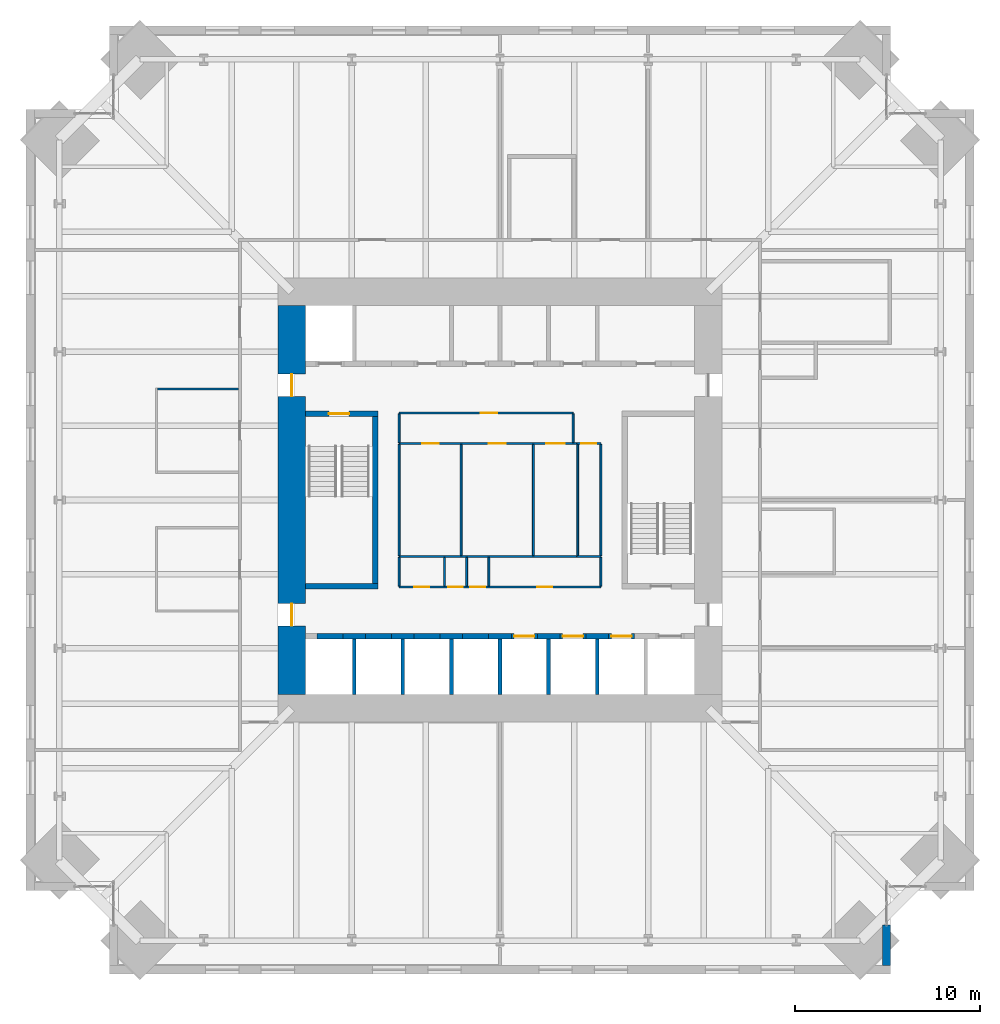
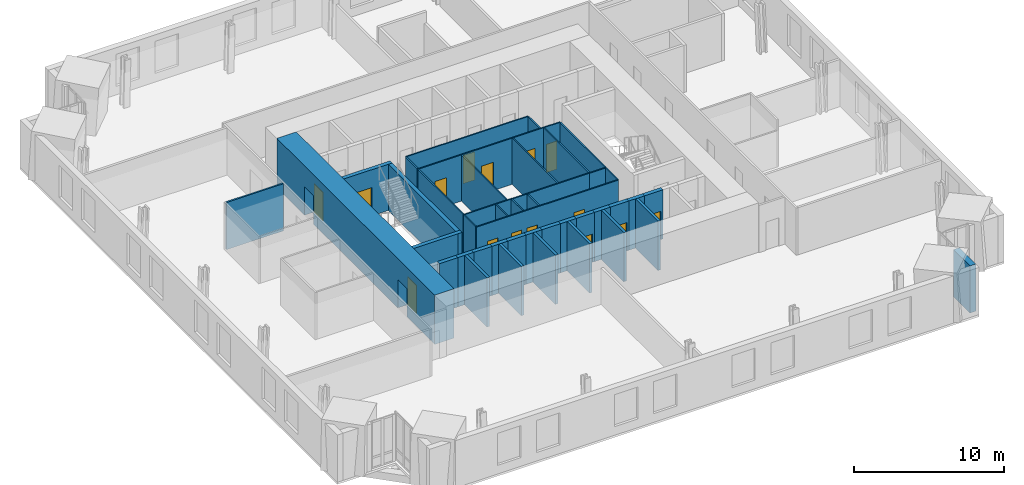
# One storey, part 14 of 18: 43 walls, 15 doors, 15 openings.
"""IFC4 building model written with IfcOpenShell, lengths in metres."""

from ifc_helpers import new_model, si_unit, direction, frame, frame_2d, origin, place, context, subcontext, project, spatial, rectangle, extrude, material, layer, layer_set, type_object, element, fill, save


model = new_model("IFC4")

# Units and contexts
model_context = context("Model", 3, precision=1e-05, world=origin(), true_north=direction((0.0, 1.0)))
body_context = subcontext(model_context, "Body", "Model", "MODEL_VIEW")
ifc_project = project(units=[si_unit("LENGTHUNIT", "METRE"), si_unit("AREAUNIT", "SQUARE_METRE"), si_unit("VOLUMEUNIT", "CUBIC_METRE"), si_unit("PLANEANGLEUNIT", "RADIAN"), si_unit("MASSUNIT", "GRAM", prefix="KILO")], contexts=[model_context])

# Site, building, storey
site_placement = place(None, origin())
site = spatial("IfcSite", under=ifc_project, at=site_placement, CompositionType="ELEMENT")
building_placement = place(site_placement, origin())
building = spatial("IfcBuilding", under=site, at=building_placement, Name="Peilmerk Tower", CompositionType="ELEMENT")
storey_placement = place(building_placement, frame((0.0, 0.0, 175.800048828125)))
storey = spatial("IfcBuildingStorey", under=building, at=storey_placement, Name="L37", CompositionType="ELEMENT", Elevation=175.800048828125)

# Walls
ifc_material_1 = material(Name="Precast concrete C45/55, board-marked finish", Category="concrete")
ifc_layer_1 = layer(ifc_material_1, 0.449951171875)
ifc_layer_set_1 = layer_set([ifc_layer_1], Name="Precast concrete C45/55, board-marked finish")
wall_type_1 = type_object("IfcWallType", Name="EW1 450 precast concrete facade wall, board-marked", PredefinedType="SOLIDWALL", material=ifc_layer_set_1)
wall_1_placement = place(storey_placement, frame((20.875, -22.95361328125, 0.0), z_axis=(0.0, 0.0, 1.0), x_axis=(0.0, -1.0, 0.0)))
element("IfcWall", 1, at=wall_1_placement, inside=storey, type_object=wall_type_1, Name="Facade wall SEA L37", PredefinedType="SOLIDWALL", context=body_context, shape_type="SweptSolid", body=[
    extrude(rectangle(XDim=2.1962890625, YDim=0.449951171875, at=frame_2d((1.09814453125, 0.0))), origin(), (0.0, 0.0, 1.0), 3.829833984375),
])
ifc_material_2 = material(Name="Concrete C35/45", Category="concrete")
ifc_layer_2 = layer(ifc_material_2, 0.300048828125)
ifc_layer_set_2 = layer_set([ifc_layer_2], Name="Concrete C35/45")
wall_type_2 = type_object("IfcWallType", Name="IW3 300 concrete stair enclosure wall, EI 120", PredefinedType="SOLIDWALL", material=ifc_layer_set_2)
wall_2_placement = place(storey_placement, frame((-6.75, -4.800048828125, 0.0), z_axis=(0.0, 0.0, 1.0), x_axis=(0.0, 1.0, 0.0)))
element("IfcWall", 2, at=wall_2_placement, inside=storey, type_object=wall_type_2, Name="Stair 1 enclosure L37", PredefinedType="SOLIDWALL", context=body_context, shape_type="SweptSolid", body=[
    extrude(rectangle(XDim=9.60009765625, YDim=0.300048828125, at=frame_2d((4.800048828125, 0.0))), origin(), (0.0, 0.0, 1.0), 3.75),
])

# Wall, opening, door
wall_3_placement = place(storey_placement, frame((-10.5, 4.64990234375, 0.0), z_axis=(0.0, 0.0, 1.0), x_axis=(1.0, 0.0, 0.0)))
wall_3 = element("IfcWall", 3, at=wall_3_placement, inside=storey, type_object=wall_type_2, Name="Stair 1 enclosure L37", PredefinedType="SOLIDWALL", context=body_context, shape_type="SweptSolid", body=[
    extrude(rectangle(XDim=3.89990234375, YDim=0.300048828125, at=frame_2d((1.949951171875, 0.0))), origin(), (0.0, 0.0, 1.0), 3.75),
])
opening_1_placement = place(wall_3_placement, frame((1.25, 0.0, 0.0)))
opening_1 = element("IfcOpeningElement", 4, at=opening_1_placement, cuts=wall_3, Name="Opening D4", PredefinedType="OPENING", context=body_context, shape_type="SweptSolid", body=[
    extrude(rectangle(XDim=1.10009765625, YDim=2.300048828125, at=frame_2d((0.550048828125, 1.14990234375))), frame((0.0, 0.159912109375, 0.0), z_axis=(0.0, -1.0, 0.0), x_axis=(1.0, 0.0, 0.0)), (0.0, 0.0, 1.0), 0.320068359375),
])
ifc_material_3 = material(Name="Steel door in steel frame", Category="steel")
door_type_1 = type_object("IfcDoorType", Name="D4 1100x2300 stair door, EI2 60", OperationType="SINGLE_SWING_RIGHT", PredefinedType="DOOR", material=ifc_material_3)
door_1_placement = place(opening_1_placement, frame((1.10009765625, 0.0, 0.0), z_axis=(0.0, 0.0, 1.0), x_axis=(-1.0, 0.0, 0.0)))
door_1 = element("IfcDoor", 5, at=door_1_placement, inside=storey, type_object=door_type_1, Name="Stair 1 door L37", OperationType="SINGLE_SWING_RIGHT", OverallHeight=2.300048828125, OverallWidth=1.10009765625, PredefinedType="DOOR", context=body_context, shape_type="SweptSolid", body=[
    extrude(rectangle(XDim=1.10009765625, YDim=2.300048828125, at=frame_2d((0.550048828125, 1.14990234375))), frame((0.0, 0.02490234375, 0.0), z_axis=(0.0, -1.0, 0.0), x_axis=(1.0, 0.0, 0.0)), (0.0, 0.0, 1.0), 0.050048828125),
])
fill(opening_1, door_1)

# Wall
wall_4_placement = place(storey_placement, frame((-6.60009765625, -4.64990234375, 0.0), z_axis=(0.0, 0.0, 1.0), x_axis=(-1.0, 0.0, 0.0)))
element("IfcWall", 6, at=wall_4_placement, inside=storey, type_object=wall_type_2, Name="Stair 1 enclosure L37", PredefinedType="SOLIDWALL", context=body_context, shape_type="SweptSolid", body=[
    extrude(rectangle(XDim=3.89990234375, YDim=0.300048828125, at=frame_2d((1.949951171875, 0.0))), origin(), (0.0, 0.0, 1.0), 3.75),
])

# Wall, openings, doors
ifc_material_4 = material(Name="Plasterboard on steel studs", Category="steel")
ifc_layer_3 = layer(ifc_material_4, 0.10009765625)
ifc_layer_set_3 = layer_set([ifc_layer_3], Name="Plasterboard on steel studs")
wall_type_3 = type_object("IfcWallType", Name="IW4 100 WC partition", PredefinedType="PARTITIONING", material=ifc_layer_set_3)
wall_5_placement = place(storey_placement, frame((-5.449951171875, 3.050048828125, 0.0), z_axis=(0.0, 0.0, 1.0), x_axis=(1.0, 0.0, 0.0)))
wall_5 = element("IfcWall", 7, at=wall_5_placement, inside=storey, type_object=wall_type_3, Name="WC wall L37", PredefinedType="PARTITIONING", context=body_context, shape_type="SweptSolid", body=[
    extrude(rectangle(XDim=9.599853515625, YDim=0.10009765625, at=frame_2d((4.7998046875, 0.0))), origin(), (0.0, 0.0, 1.0), 3.75),
])
opening_2_placement = place(wall_5_placement, frame((1.25, 0.0, 0.0)))
opening_2 = element("IfcOpeningElement", 8, at=opening_2_placement, cuts=wall_5, Name="Opening D5", PredefinedType="OPENING", context=body_context, shape_type="SweptSolid", body=[
    extrude(rectangle(XDim=0.89990234375, YDim=2.300048828125, at=frame_2d((0.449951171875, 1.14990234375))), frame((0.0, 0.06005859375, 0.0), z_axis=(0.0, -1.0, 0.0), x_axis=(1.0, 0.0, 0.0)), (0.0, 0.0, 1.0), 0.1201171875),
])
opening_3_placement = place(wall_5_placement, frame((4.85009765625, 0.0, 0.0)))
opening_3 = element("IfcOpeningElement", 9, at=opening_3_placement, cuts=wall_5, Name="Opening D5", PredefinedType="OPENING", context=body_context, shape_type="SweptSolid", body=[
    extrude(rectangle(XDim=0.89990234375, YDim=2.300048828125, at=frame_2d((0.449951171875, 1.14990234375))), frame((0.0, 0.06005859375, 0.0), z_axis=(0.0, -1.0, 0.0), x_axis=(1.0, 0.0, 0.0)), (0.0, 0.0, 1.0), 0.1201171875),
])
opening_4_placement = place(wall_5_placement, frame((7.949951171875, 0.0, 0.0)))
opening_4 = element("IfcOpeningElement", 10, at=opening_4_placement, cuts=wall_5, Name="Opening D6", PredefinedType="OPENING", context=body_context, shape_type="SweptSolid", body=[
    extrude(rectangle(XDim=1.0, YDim=2.300048828125, at=frame_2d((0.5, 1.14990234375))), frame((0.0, 0.06005859375, 0.0), z_axis=(0.0, -1.0, 0.0), x_axis=(1.0, 0.0, 0.0)), (0.0, 0.0, 1.0), 0.1201171875),
])
ifc_material_5 = material(Name="Timber door in steel frame", Category="steel")
door_type_2 = type_object("IfcDoorType", Name="D5 900x2300 WC door", OperationType="SINGLE_SWING_LEFT", PredefinedType="DOOR", material=ifc_material_5)
door_2_placement = place(opening_2_placement, frame((0.89990234375, 0.0, 0.0), z_axis=(0.0, 0.0, 1.0), x_axis=(-1.0, 0.0, 0.0)))
door_2 = element("IfcDoor", 11, at=door_2_placement, inside=storey, type_object=door_type_2, Name="Female toilets door L37", OperationType="SINGLE_SWING_LEFT", OverallHeight=2.300048828125, OverallWidth=0.89990234375, PredefinedType="DOOR", context=body_context, shape_type="SweptSolid", body=[
    extrude(rectangle(XDim=0.89990234375, YDim=2.300048828125, at=frame_2d((0.449951171875, 1.14990234375))), frame((0.0, 0.02490234375, 0.0), z_axis=(0.0, -1.0, 0.0), x_axis=(1.0, 0.0, 0.0)), (0.0, 0.0, 1.0), 0.050048828125),
])
fill(opening_2, door_2)
door_3_placement = place(opening_3_placement, frame((0.89990234375, 0.0, 0.0), z_axis=(0.0, 0.0, 1.0), x_axis=(-1.0, 0.0, 0.0)))
door_3 = element("IfcDoor", 12, at=door_3_placement, inside=storey, type_object=door_type_2, Name="Male toilets door L37", OperationType="SINGLE_SWING_LEFT", OverallHeight=2.300048828125, OverallWidth=0.89990234375, PredefinedType="DOOR", context=body_context, shape_type="SweptSolid", body=[
    extrude(rectangle(XDim=0.89990234375, YDim=2.300048828125, at=frame_2d((0.449951171875, 1.14990234375))), frame((0.0, 0.02490234375, 0.0), z_axis=(0.0, -1.0, 0.0), x_axis=(1.0, 0.0, 0.0)), (0.0, 0.0, 1.0), 0.050048828125),
])
fill(opening_3, door_3)
door_type_3 = type_object("IfcDoorType", Name="D6 1000x2300 accessible WC door", OperationType="SLIDING_TO_LEFT", PredefinedType="DOOR", material=ifc_material_5)
door_4_placement = place(opening_4_placement, frame((1.0, 0.0, 0.0), z_axis=(0.0, 0.0, 1.0), x_axis=(-1.0, 0.0, 0.0)))
door_4 = element("IfcDoor", 13, at=door_4_placement, inside=storey, type_object=door_type_3, Name="Accessible WC door L37", OperationType="SLIDING_TO_LEFT", OverallHeight=2.300048828125, OverallWidth=1.0, PredefinedType="DOOR", context=body_context, shape_type="SweptSolid", body=[
    extrude(rectangle(XDim=1.0, YDim=2.300048828125, at=frame_2d((0.5, 1.14990234375))), frame((0.0, 0.02490234375, 0.0), z_axis=(0.0, -1.0, 0.0), x_axis=(1.0, 0.0, 0.0)), (0.0, 0.0, 1.0), 0.050048828125),
])
fill(opening_4, door_4)

# Walls
wall_6_placement = place(storey_placement, frame((4.14990234375, -3.050048828125, 0.0), z_axis=(0.0, 0.0, 1.0), x_axis=(-1.0, 0.0, 0.0)))
element("IfcWall", 14, at=wall_6_placement, inside=storey, type_object=wall_type_3, Name="WC wall L37", PredefinedType="PARTITIONING", context=body_context, shape_type="SweptSolid", body=[
    extrude(rectangle(XDim=9.599853515625, YDim=0.10009765625, at=frame_2d((4.7998046875, 0.0))), origin(), (0.0, 0.0, 1.0), 3.75),
])
for number, where, z_axis, x_axis, name in (
    (15, (-5.449951171875, -3.0, 0.0), (0.0, 0.0, 1.0), (0.0, 1.0, 0.0), "WC wall L37"),
    (16, (-2.10009765625, -3.0, 0.0), (0.0, 0.0, 1.0), (0.0, 1.0, 0.0), "WC wall L37"),
    (17, (1.800048828125, -3.0, 0.0), (0.0, 0.0, 1.0), (0.0, 1.0, 0.0), "WC wall L37"),
):
    element("IfcWall", number, at=place(storey_placement, frame(where, z_axis=z_axis, x_axis=x_axis)), inside=storey, type_object=wall_type_3, Name=name, PredefinedType="PARTITIONING", context=body_context, shape_type="SweptSolid", body=[
        extrude(rectangle(XDim=6.0, YDim=0.10009765625, at=frame_2d((3.0, 0.0))), origin(), (0.0, 0.0, 1.0), 3.75),
    ])

# Wall, opening, door
ifc_material_6 = material(Name="Calcium silicate board on steel studs", Category="steel")
ifc_layer_4 = layer(ifc_material_6, 0.10009765625)
ifc_layer_set_4 = layer_set([ifc_layer_4], Name="Calcium silicate board on steel studs")
wall_type_4 = type_object("IfcWallType", Name="IW5 100 riser enclosure wall, EI 60", PredefinedType="PARTITIONING", material=ifc_layer_set_4)
wall_7_placement = place(storey_placement, frame((4.14990234375, 3.050048828125, 0.0), z_axis=(0.0, 0.0, 1.0), x_axis=(1.0, 0.0, 0.0)))
wall_7 = element("IfcWall", 18, at=wall_7_placement, inside=storey, type_object=wall_type_4, Name="Riser wall L37", PredefinedType="PARTITIONING", context=body_context, shape_type="SweptSolid", body=[
    extrude(rectangle(XDim=1.300048828125, YDim=0.10009765625, at=frame_2d((0.64990234375, 0.0))), origin(), (0.0, 0.0, 1.0), 3.75),
])
opening_5_placement = place(wall_7_placement, frame((0.25, 0.0, 0.0)))
opening_5 = element("IfcOpeningElement", 19, at=opening_5_placement, cuts=wall_7, Name="Opening D7", PredefinedType="OPENING", context=body_context, shape_type="SweptSolid", body=[
    extrude(rectangle(XDim=0.800048828125, YDim=2.300048828125, at=frame_2d((0.39990234375, 1.14990234375))), frame((0.0, 0.06005859375, 0.0), z_axis=(0.0, -1.0, 0.0), x_axis=(1.0, 0.0, 0.0)), (0.0, 0.0, 1.0), 0.1201171875),
])
door_type_4 = type_object("IfcDoorType", Name="D7 800x2300 riser access door, EI2 60", OperationType="SINGLE_SWING_RIGHT", PredefinedType="DOOR", material=ifc_material_3)
door_5_placement = place(opening_5_placement, frame((0.800048828125, 0.0, 0.0), z_axis=(0.0, 0.0, 1.0), x_axis=(-1.0, 0.0, 0.0)))
door_5 = element("IfcDoor", 20, at=door_5_placement, inside=storey, type_object=door_type_4, Name="Plumbing riser door L37", OperationType="SINGLE_SWING_RIGHT", OverallHeight=2.300048828125, OverallWidth=0.800048828125, PredefinedType="DOOR", context=body_context, shape_type="SweptSolid", body=[
    extrude(rectangle(XDim=0.800048828125, YDim=2.300048828125, at=frame_2d((0.39990234375, 1.14990234375))), frame((0.0, 0.02490234375, 0.0), z_axis=(0.0, -1.0, 0.0), x_axis=(1.0, 0.0, 0.0)), (0.0, 0.0, 1.0), 0.050048828125),
])
fill(opening_5, door_5)

# Walls
wall_8_placement = place(storey_placement, frame((5.449951171875, -3.050048828125, 0.0), z_axis=(0.0, 0.0, 1.0), x_axis=(-1.0, 0.0, 0.0)))
element("IfcWall", 21, at=wall_8_placement, inside=storey, type_object=wall_type_4, Name="Riser wall L37", PredefinedType="PARTITIONING", context=body_context, shape_type="SweptSolid", body=[
    extrude(rectangle(XDim=1.300048828125, YDim=0.10009765625, at=frame_2d((0.64990234375, 0.0))), origin(), (0.0, 0.0, 1.0), 3.75),
])
for number, where, z_axis, x_axis, name in (
    (22, (5.449951171875, 3.0, 0.0), (0.0, 0.0, 1.0), (0.0, -1.0, 0.0), "Riser wall L37"),
    (23, (4.199951171875, -3.0, 0.0), (0.0, 0.0, 1.0), (0.0, 1.0, 0.0), "Riser wall L37"),
):
    element("IfcWall", number, at=place(storey_placement, frame(where, z_axis=z_axis, x_axis=x_axis)), inside=storey, type_object=wall_type_4, Name=name, PredefinedType="PARTITIONING", context=body_context, shape_type="SweptSolid", body=[
        extrude(rectangle(XDim=6.0, YDim=0.10009765625, at=frame_2d((3.0, 0.0))), origin(), (0.0, 0.0, 1.0), 3.75),
    ])

# Wall, openings, doors
wall_9_placement = place(storey_placement, frame((5.449951171875, -4.699951171875, 0.0), z_axis=(0.0, 0.0, 1.0), x_axis=(-1.0, 0.0, 0.0)))
wall_9 = element("IfcWall", 24, at=wall_9_placement, inside=storey, type_object=wall_type_4, Name="Riser wall L37", PredefinedType="PARTITIONING", context=body_context, shape_type="SweptSolid", body=[
    extrude(rectangle(XDim=10.89990234375, YDim=0.10009765625, at=frame_2d((5.449951171875, 0.0))), origin(), (0.0, 0.0, 1.0), 3.75),
])
opening_6_placement = place(wall_9_placement, frame((9.27490234375, 0.0, 0.0)))
opening_6 = element("IfcOpeningElement", 25, at=opening_6_placement, cuts=wall_9, Name="Opening D7", PredefinedType="OPENING", context=body_context, shape_type="SweptSolid", body=[
    extrude(rectangle(XDim=0.800048828125, YDim=2.300048828125, at=frame_2d((0.39990234375, 1.14990234375))), frame((0.0, 0.06005859375, 0.0), z_axis=(0.0, -1.0, 0.0), x_axis=(1.0, 0.0, 0.0)), (0.0, 0.0, 1.0), 0.1201171875),
])
opening_7_placement = place(wall_9_placement, frame((7.449951171875, 0.0, 0.0)))
opening_7 = element("IfcOpeningElement", 26, at=opening_7_placement, cuts=wall_9, Name="Opening D7", PredefinedType="OPENING", context=body_context, shape_type="SweptSolid", body=[
    extrude(rectangle(XDim=0.800048828125, YDim=2.300048828125, at=frame_2d((0.39990234375, 1.14990234375))), frame((0.0, 0.06005859375, 0.0), z_axis=(0.0, -1.0, 0.0), x_axis=(1.0, 0.0, 0.0)), (0.0, 0.0, 1.0), 0.1201171875),
])
opening_8_placement = place(wall_9_placement, frame((6.25, 0.0, 0.0)))
opening_8 = element("IfcOpeningElement", 27, at=opening_8_placement, cuts=wall_9, Name="Opening D7", PredefinedType="OPENING", context=body_context, shape_type="SweptSolid", body=[
    extrude(rectangle(XDim=0.800048828125, YDim=2.300048828125, at=frame_2d((0.39990234375, 1.14990234375))), frame((0.0, 0.06005859375, 0.0), z_axis=(0.0, -1.0, 0.0), x_axis=(1.0, 0.0, 0.0)), (0.0, 0.0, 1.0), 0.1201171875),
])
opening_9_placement = place(wall_9_placement, frame((2.625, 0.0, 0.0)))
opening_9 = element("IfcOpeningElement", 28, at=opening_9_placement, cuts=wall_9, Name="Opening D7", PredefinedType="OPENING", context=body_context, shape_type="SweptSolid", body=[
    extrude(rectangle(XDim=0.800048828125, YDim=2.300048828125, at=frame_2d((0.39990234375, 1.14990234375))), frame((0.0, 0.06005859375, 0.0), z_axis=(0.0, -1.0, 0.0), x_axis=(1.0, 0.0, 0.0)), (0.0, 0.0, 1.0), 0.1201171875),
])
door_6_placement = place(opening_6_placement, frame((0.800048828125, 0.0, 0.0), z_axis=(0.0, 0.0, 1.0), x_axis=(-1.0, 0.0, 0.0)))
door_6 = element("IfcDoor", 29, at=door_6_placement, inside=storey, type_object=door_type_4, Name="Cleaner's cupboard door L37", OperationType="SINGLE_SWING_RIGHT", OverallHeight=2.300048828125, OverallWidth=0.800048828125, PredefinedType="DOOR", context=body_context, shape_type="SweptSolid", body=[
    extrude(rectangle(XDim=0.800048828125, YDim=2.300048828125, at=frame_2d((0.39990234375, 1.14990234375))), frame((0.0, 0.02490234375, 0.0), z_axis=(0.0, -1.0, 0.0), x_axis=(1.0, 0.0, 0.0)), (0.0, 0.0, 1.0), 0.050048828125),
])
fill(opening_6, door_6)
door_7_placement = place(opening_7_placement, frame((0.800048828125, 0.0, 0.0), z_axis=(0.0, 0.0, 1.0), x_axis=(-1.0, 0.0, 0.0)))
door_7 = element("IfcDoor", 30, at=door_7_placement, inside=storey, type_object=door_type_4, Name="Electrical riser door L37", OperationType="SINGLE_SWING_RIGHT", OverallHeight=2.300048828125, OverallWidth=0.800048828125, PredefinedType="DOOR", context=body_context, shape_type="SweptSolid", body=[
    extrude(rectangle(XDim=0.800048828125, YDim=2.300048828125, at=frame_2d((0.39990234375, 1.14990234375))), frame((0.0, 0.02490234375, 0.0), z_axis=(0.0, -1.0, 0.0), x_axis=(1.0, 0.0, 0.0)), (0.0, 0.0, 1.0), 0.050048828125),
])
fill(opening_7, door_7)
door_8_placement = place(opening_8_placement, frame((0.800048828125, 0.0, 0.0), z_axis=(0.0, 0.0, 1.0), x_axis=(-1.0, 0.0, 0.0)))
door_8 = element("IfcDoor", 31, at=door_8_placement, inside=storey, type_object=door_type_4, Name="Data riser door L37", OperationType="SINGLE_SWING_RIGHT", OverallHeight=2.300048828125, OverallWidth=0.800048828125, PredefinedType="DOOR", context=body_context, shape_type="SweptSolid", body=[
    extrude(rectangle(XDim=0.800048828125, YDim=2.300048828125, at=frame_2d((0.39990234375, 1.14990234375))), frame((0.0, 0.02490234375, 0.0), z_axis=(0.0, -1.0, 0.0), x_axis=(1.0, 0.0, 0.0)), (0.0, 0.0, 1.0), 0.050048828125),
])
fill(opening_8, door_8)
door_9_placement = place(opening_9_placement, frame((0.800048828125, 0.0, 0.0), z_axis=(0.0, 0.0, 1.0), x_axis=(-1.0, 0.0, 0.0)))
door_9 = element("IfcDoor", 32, at=door_9_placement, inside=storey, type_object=door_type_4, Name="Comms room door L37", OperationType="SINGLE_SWING_RIGHT", OverallHeight=2.300048828125, OverallWidth=0.800048828125, PredefinedType="DOOR", context=body_context, shape_type="SweptSolid", body=[
    extrude(rectangle(XDim=0.800048828125, YDim=2.300048828125, at=frame_2d((0.39990234375, 1.14990234375))), frame((0.0, 0.02490234375, 0.0), z_axis=(0.0, -1.0, 0.0), x_axis=(1.0, 0.0, 0.0)), (0.0, 0.0, 1.0), 0.050048828125),
])
fill(opening_9, door_9)

# Walls
for number, where, z_axis, x_axis, name in (
    (33, (-5.449951171875, -3.10009765625, 0.0), (0.0, 0.0, 1.0), (0.0, -1.0, 0.0), "Riser wall L37"),
    (34, (5.449951171875, -3.10009765625, 0.0), (0.0, 0.0, 1.0), (0.0, -1.0, 0.0), "Riser wall L37"),
    (35, (-3.0, -3.10009765625, 0.0), (0.0, 0.0, 1.0), (0.0, -1.0, 0.0), "Riser wall L37"),
    (36, (-1.800048828125, -3.10009765625, 0.0), (0.0, 0.0, 1.0), (0.0, -1.0, 0.0), "Riser wall L37"),
    (37, (-0.60009765625, -3.10009765625, 0.0), (0.0, 0.0, 1.0), (0.0, -1.0, 0.0), "Riser wall L37"),
):
    element("IfcWall", number, at=place(storey_placement, frame(where, z_axis=z_axis, x_axis=x_axis)), inside=storey, type_object=wall_type_4, Name=name, PredefinedType="PARTITIONING", context=body_context, shape_type="SweptSolid", body=[
        extrude(rectangle(XDim=1.5498046875, YDim=0.10009765625, at=frame_2d((0.77490234375, 0.0))), origin(), (0.0, 0.0, 1.0), 3.75),
    ])
ifc_material_7 = material(Name="Plasterboard on steel studs, double boarded with mineral wool", Category="steel")
ifc_layer_5 = layer(ifc_material_7, 0.125)
ifc_layer_set_5 = layer_set([ifc_layer_5], Name="Plasterboard on steel studs, double boarded with mineral wool")
wall_type_5 = type_object("IfcWallType", Name="IW7 125 acoustic partition, EI 30", PredefinedType="PARTITIONING", material=ifc_layer_set_5)
wall_10_placement = place(storey_placement, frame((-14.125, 6.0, 0.0), z_axis=(0.0, 0.0, 1.0), x_axis=(-1.0, 0.0, 0.0)))
element("IfcWall", 38, at=wall_10_placement, inside=storey, type_object=wall_type_5, Name="Acoustic partition Focus room L37", PredefinedType="PARTITIONING", context=body_context, shape_type="SweptSolid", body=[
    extrude(rectangle(XDim=4.362548828125, YDim=0.125, at=frame_2d((2.18115234375, 0.0))), origin(), (0.0, 0.0, 1.0), 3.829833984375),
])

# Wall, opening, door
ifc_material_8 = material(Name="Fire-resisting plasterboard on steel studs", Category="steel")
ifc_layer_6 = layer(ifc_material_8, 0.10009765625)
ifc_layer_set_6 = layer_set([ifc_layer_6], Name="Fire-resisting plasterboard on steel studs")
wall_type_6 = type_object("IfcWallType", Name="IW9 100 WC lobby wall, EI 30", PredefinedType="PARTITIONING", material=ifc_layer_set_6)
wall_11_placement = place(storey_placement, frame((-5.449951171875, 4.699951171875, 0.0), z_axis=(0.0, 0.0, 1.0), x_axis=(1.0, 0.0, 0.0)))
wall_11 = element("IfcWall", 39, at=wall_11_placement, inside=storey, type_object=wall_type_6, Name="WC lobby wall L37", PredefinedType="PARTITIONING", context=body_context, shape_type="SweptSolid", body=[
    extrude(rectangle(XDim=9.39990234375, YDim=0.10009765625, at=frame_2d((4.699951171875, 0.0))), origin(), (0.0, 0.0, 1.0), 3.75),
])
opening_10_placement = place(wall_11_placement, frame((4.39990234375, 0.0, 0.0)))
opening_10 = element("IfcOpeningElement", 40, at=opening_10_placement, cuts=wall_11, Name="Opening D11", PredefinedType="OPENING", context=body_context, shape_type="SweptSolid", body=[
    extrude(rectangle(XDim=0.89990234375, YDim=2.300048828125, at=frame_2d((0.449951171875, 1.14990234375))), frame((0.0, 0.06005859375, 0.0), z_axis=(0.0, -1.0, 0.0), x_axis=(1.0, 0.0, 0.0)), (0.0, 0.0, 1.0), 0.1201171875),
])
door_type_5 = type_object("IfcDoorType", Name="D11 900x2300 WC lobby door, EI2 30", OperationType="SINGLE_SWING_LEFT", PredefinedType="DOOR", material=ifc_material_5)
door_10_placement = place(opening_10_placement, frame((0.89990234375, 0.0, 0.0), z_axis=(0.0, 0.0, 1.0), x_axis=(-1.0, 0.0, 0.0)))
door_10 = element("IfcDoor", 41, at=door_10_placement, inside=storey, type_object=door_type_5, Name="WC lobby door L37", OperationType="SINGLE_SWING_LEFT", OverallHeight=2.300048828125, OverallWidth=0.89990234375, PredefinedType="DOOR", context=body_context, shape_type="SweptSolid", body=[
    extrude(rectangle(XDim=0.89990234375, YDim=2.300048828125, at=frame_2d((0.449951171875, 1.14990234375))), frame((0.0, 0.02490234375, 0.0), z_axis=(0.0, -1.0, 0.0), x_axis=(1.0, 0.0, 0.0)), (0.0, 0.0, 1.0), 0.050048828125),
])
fill(opening_10, door_10)

# Walls
for number, where, z_axis, x_axis, name in (
    (42, (-5.449951171875, 3.10009765625, 0.0), (0.0, 0.0, 1.0), (0.0, 1.0, 0.0), "WC lobby wall L37"),
    (43, (3.949951171875, 3.10009765625, 0.0), (0.0, 0.0, 1.0), (0.0, 1.0, 0.0), "WC lobby wall L37"),
):
    element("IfcWall", number, at=place(storey_placement, frame(where, z_axis=z_axis, x_axis=x_axis)), inside=storey, type_object=wall_type_6, Name=name, PredefinedType="PARTITIONING", context=body_context, shape_type="SweptSolid", body=[
        extrude(rectangle(XDim=1.5498046875, YDim=0.10009765625, at=frame_2d((0.77490234375, 0.0))), origin(), (0.0, 0.0, 1.0), 3.75),
    ])
ifc_material_9 = material(Name="Calcium silicate block", Category="masonry")
ifc_layer_7 = layer(ifc_material_9, 0.199951171875)
ifc_layer_set_7 = layer_set([ifc_layer_7], Name="Calcium silicate block")
wall_type_7 = type_object("IfcWallType", Name="SH1 200 shaft dividing wall, EI 120", PredefinedType="PARTITIONING", material=ifc_layer_set_7)
for number, where, z_axis, x_axis, name in (
    (44, (-7.875, -10.5, 0.0), (0.0, 0.0, 1.0), (0.0, 1.0, 0.0), "Shaft wall S C4 L37"),
    (45, (-5.25, -10.5, 0.0), (0.0, 0.0, 1.0), (0.0, 1.0, 0.0), "Shaft wall S C3 L37"),
    (46, (-2.625, -10.5, 0.0), (0.0, 0.0, 1.0), (0.0, 1.0, 0.0), "Shaft wall S C2 L37"),
    (47, (0.0, -10.5, 0.0), (0.0, 0.0, 1.0), (0.0, 1.0, 0.0), "Shaft wall S C1 L37"),
    (48, (2.625, -10.5, 0.0), (0.0, 0.0, 1.0), (0.0, 1.0, 0.0), "Shaft wall S B3 L37"),
    (49, (5.25, -10.5, 0.0), (0.0, 0.0, 1.0), (0.0, 1.0, 0.0), "Shaft wall S B2 L37"),
):
    element("IfcWall", number, at=place(storey_placement, frame(where, z_axis=z_axis, x_axis=x_axis)), inside=storey, type_object=wall_type_7, Name=name, PredefinedType="PARTITIONING", context=body_context, shape_type="SweptSolid", body=[
        extrude(rectangle(XDim=3.0, YDim=0.199951171875, at=frame_2d((1.5, 0.0))), origin(), (0.0, 0.0, 1.0), 4.0),
    ])
ifc_layer_8 = layer(ifc_material_9, 0.300048828125)
ifc_layer_set_8 = layer_set([ifc_layer_8], Name="Calcium silicate block")
wall_type_8 = type_object("IfcWallType", Name="SH2 300 lift landing door panel, EI 120", PredefinedType="PARTITIONING", material=ifc_layer_set_8)
for number, where, z_axis, x_axis, name in (
    (50, (-9.887451171875, -7.35009765625, 0.0), (0.0, 0.0, 1.0), (1.0, 0.0, 0.0), "Lift door panel S C4 L37"),
    (51, (-7.262451171875, -7.35009765625, 0.0), (0.0, 0.0, 1.0), (1.0, 0.0, 0.0), "Lift door panel S C3 L37"),
    (52, (-4.637451171875, -7.35009765625, 0.0), (0.0, 0.0, 1.0), (1.0, 0.0, 0.0), "Lift door panel S C2 L37"),
    (53, (-2.012451171875, -7.35009765625, 0.0), (0.0, 0.0, 1.0), (1.0, 0.0, 0.0), "Lift door panel S C1 L37"),
):
    element("IfcWall", number, at=place(storey_placement, frame(where, z_axis=z_axis, x_axis=x_axis)), inside=storey, type_object=wall_type_8, Name=name, PredefinedType="PARTITIONING", context=body_context, shape_type="SweptSolid", body=[
        extrude(rectangle(XDim=1.39990234375, YDim=0.300048828125, at=frame_2d((0.699951171875, 0.0))), origin(), (0.0, 0.0, 1.0), 4.0),
    ])

# Wall, opening, door
wall_12_placement = place(storey_placement, frame((0.612548828125, -7.35009765625, 0.0), z_axis=(0.0, 0.0, 1.0), x_axis=(1.0, 0.0, 0.0)))
wall_12 = element("IfcWall", 54, at=wall_12_placement, inside=storey, type_object=wall_type_8, Name="Lift door panel S B3 L37", PredefinedType="PARTITIONING", context=body_context, shape_type="SweptSolid", body=[
    extrude(rectangle(XDim=1.39990234375, YDim=0.300048828125, at=frame_2d((0.699951171875, 0.0))), origin(), (0.0, 0.0, 1.0), 4.0),
])
opening_11_placement = place(wall_12_placement, frame((0.14990234375, 0.0, 0.0)))
opening_11 = element("IfcOpeningElement", 55, at=opening_11_placement, cuts=wall_12, Name="Opening LD1", PredefinedType="OPENING", context=body_context, shape_type="SweptSolid", body=[
    extrude(rectangle(XDim=1.10009765625, YDim=2.300048828125, at=frame_2d((0.550048828125, 1.14990234375))), frame((0.0, 0.159912109375, 0.0), z_axis=(0.0, -1.0, 0.0), x_axis=(1.0, 0.0, 0.0)), (0.0, 0.0, 1.0), 0.320068359375),
])
ifc_material_10 = material(Name="Stainless steel landing door", Category="steel")
door_type_6 = type_object("IfcDoorType", Name="LD1 1100x2300 lift landing door, sliding, EI2 60", OperationType="SLIDING_TO_LEFT", PredefinedType="DOOR", material=ifc_material_10)
door_11_placement = place(opening_11_placement, origin())
door_11 = element("IfcDoor", 56, at=door_11_placement, inside=storey, type_object=door_type_6, Name="Lift landing door B3 L37", OperationType="SLIDING_TO_LEFT", OverallHeight=2.300048828125, OverallWidth=1.10009765625, PredefinedType="DOOR", context=body_context, shape_type="SweptSolid", body=[
    extrude(rectangle(XDim=1.10009765625, YDim=2.300048828125, at=frame_2d((0.550048828125, 1.14990234375))), frame((0.0, 0.02490234375, 0.0), z_axis=(0.0, -1.0, 0.0), x_axis=(1.0, 0.0, 0.0)), (0.0, 0.0, 1.0), 0.050048828125),
])
fill(opening_11, door_11)

wall_13_placement = place(storey_placement, frame((3.237548828125, -7.35009765625, 0.0), z_axis=(0.0, 0.0, 1.0), x_axis=(1.0, 0.0, 0.0)))
wall_13 = element("IfcWall", 57, at=wall_13_placement, inside=storey, type_object=wall_type_8, Name="Lift door panel S B2 L37", PredefinedType="PARTITIONING", context=body_context, shape_type="SweptSolid", body=[
    extrude(rectangle(XDim=1.39990234375, YDim=0.300048828125, at=frame_2d((0.699951171875, 0.0))), origin(), (0.0, 0.0, 1.0), 4.0),
])
opening_12_placement = place(wall_13_placement, frame((0.14990234375, 0.0, 0.0)))
opening_12 = element("IfcOpeningElement", 58, at=opening_12_placement, cuts=wall_13, Name="Opening LD1", PredefinedType="OPENING", context=body_context, shape_type="SweptSolid", body=[
    extrude(rectangle(XDim=1.10009765625, YDim=2.300048828125, at=frame_2d((0.550048828125, 1.14990234375))), frame((0.0, 0.159912109375, 0.0), z_axis=(0.0, -1.0, 0.0), x_axis=(1.0, 0.0, 0.0)), (0.0, 0.0, 1.0), 0.320068359375),
])
door_12_placement = place(opening_12_placement, origin())
door_12 = element("IfcDoor", 59, at=door_12_placement, inside=storey, type_object=door_type_6, Name="Lift landing door B2 L37", OperationType="SLIDING_TO_LEFT", OverallHeight=2.300048828125, OverallWidth=1.10009765625, PredefinedType="DOOR", context=body_context, shape_type="SweptSolid", body=[
    extrude(rectangle(XDim=1.10009765625, YDim=2.300048828125, at=frame_2d((0.550048828125, 1.14990234375))), frame((0.0, 0.02490234375, 0.0), z_axis=(0.0, -1.0, 0.0), x_axis=(1.0, 0.0, 0.0)), (0.0, 0.0, 1.0), 0.050048828125),
])
fill(opening_12, door_12)

wall_14_placement = place(storey_placement, frame((5.862548828125, -7.35009765625, 0.0), z_axis=(0.0, 0.0, 1.0), x_axis=(1.0, 0.0, 0.0)))
wall_14 = element("IfcWall", 60, at=wall_14_placement, inside=storey, type_object=wall_type_8, Name="Lift door panel S B1 L37", PredefinedType="PARTITIONING", context=body_context, shape_type="SweptSolid", body=[
    extrude(rectangle(XDim=1.39990234375, YDim=0.300048828125, at=frame_2d((0.699951171875, 0.0))), origin(), (0.0, 0.0, 1.0), 4.0),
])
opening_13_placement = place(wall_14_placement, frame((0.14990234375, 0.0, 0.0)))
opening_13 = element("IfcOpeningElement", 61, at=opening_13_placement, cuts=wall_14, Name="Opening LD1", PredefinedType="OPENING", context=body_context, shape_type="SweptSolid", body=[
    extrude(rectangle(XDim=1.10009765625, YDim=2.300048828125, at=frame_2d((0.550048828125, 1.14990234375))), frame((0.0, 0.159912109375, 0.0), z_axis=(0.0, -1.0, 0.0), x_axis=(1.0, 0.0, 0.0)), (0.0, 0.0, 1.0), 0.320068359375),
])
door_13_placement = place(opening_13_placement, origin())
door_13 = element("IfcDoor", 62, at=door_13_placement, inside=storey, type_object=door_type_6, Name="Lift landing door B1 L37", OperationType="SLIDING_TO_LEFT", OverallHeight=2.300048828125, OverallWidth=1.10009765625, PredefinedType="DOOR", context=body_context, shape_type="SweptSolid", body=[
    extrude(rectangle(XDim=1.10009765625, YDim=2.300048828125, at=frame_2d((0.550048828125, 1.14990234375))), frame((0.0, 0.02490234375, 0.0), z_axis=(0.0, -1.0, 0.0), x_axis=(1.0, 0.0, 0.0)), (0.0, 0.0, 1.0), 0.050048828125),
])
fill(opening_13, door_13)

# Wall, openings, doors
ifc_material_11 = material(Name="Concrete C55/67", Category="concrete")
ifc_layer_9 = layer(ifc_material_11, 1.5)
ifc_layer_set_9 = layer_set([ifc_layer_9], Name="Concrete C55/67")
wall_type_9 = type_object("IfcWallType", Name="SW1 1500 core wall", PredefinedType="SHEAR", material=ifc_layer_set_9)
wall_15_placement = place(storey_placement, frame((-11.25, -10.5, 0.0), z_axis=(0.0, 0.0, 1.0), x_axis=(0.0, 1.0, 0.0)))
wall_15 = element("IfcWall", 63, at=wall_15_placement, inside=storey, type_object=wall_type_9, Name="Core wall W L37", PredefinedType="SHEAR", context=body_context, shape_type="SweptSolid", body=[
    extrude(rectangle(XDim=21.0, YDim=1.5, at=frame_2d((10.5, 0.0))), origin(), (0.0, 0.0, 1.0), 4.0),
])
opening_14_placement = place(wall_15_placement, frame((16.10009765625, 0.0, 0.0)))
opening_14 = element("IfcOpeningElement", 64, at=opening_14_placement, cuts=wall_15, Name="Opening D3", PredefinedType="OPENING", context=body_context, shape_type="SweptSolid", body=[
    extrude(rectangle(XDim=1.199951171875, YDim=2.300048828125, at=frame_2d((0.60009765625, 1.14990234375))), frame((0.0, 0.760009765625, 0.0), z_axis=(0.0, -1.0, 0.0), x_axis=(1.0, 0.0, 0.0)), (0.0, 0.0, 1.0), 1.52001953125),
])
opening_15_placement = place(wall_15_placement, frame((3.699951171875, 0.0, 0.0)))
opening_15 = element("IfcOpeningElement", 65, at=opening_15_placement, cuts=wall_15, Name="Opening D3", PredefinedType="OPENING", context=body_context, shape_type="SweptSolid", body=[
    extrude(rectangle(XDim=1.199951171875, YDim=2.300048828125, at=frame_2d((0.60009765625, 1.14990234375))), frame((0.0, 0.760009765625, 0.0), z_axis=(0.0, -1.0, 0.0), x_axis=(1.0, 0.0, 0.0)), (0.0, 0.0, 1.0), 1.52001953125),
])
door_type_7 = type_object("IfcDoorType", Name="D3 1200x2300 core door, EI2 60", OperationType="SINGLE_SWING_LEFT", PredefinedType="DOOR", material=ifc_material_3)
door_14_placement = place(opening_14_placement, frame((1.199951171875, 0.0, 0.0), z_axis=(0.0, 0.0, 1.0), x_axis=(-1.0, 0.0, 0.0)))
door_14 = element("IfcDoor", 66, at=door_14_placement, inside=storey, type_object=door_type_7, Name="Core door L37", OperationType="SINGLE_SWING_LEFT", OverallHeight=2.300048828125, OverallWidth=1.199951171875, PredefinedType="DOOR", context=body_context, shape_type="SweptSolid", body=[
    extrude(rectangle(XDim=1.199951171875, YDim=2.300048828125, at=frame_2d((0.60009765625, 1.14990234375))), frame((0.0, 0.02490234375, 0.0), z_axis=(0.0, -1.0, 0.0), x_axis=(1.0, 0.0, 0.0)), (0.0, 0.0, 1.0), 0.050048828125),
])
fill(opening_14, door_14)
door_15_placement = place(opening_15_placement, frame((1.199951171875, 0.0, 0.0), z_axis=(0.0, 0.0, 1.0), x_axis=(-1.0, 0.0, 0.0)))
door_15 = element("IfcDoor", 67, at=door_15_placement, inside=storey, type_object=door_type_7, Name="Core door L37", OperationType="SINGLE_SWING_LEFT", OverallHeight=2.300048828125, OverallWidth=1.199951171875, PredefinedType="DOOR", context=body_context, shape_type="SweptSolid", body=[
    extrude(rectangle(XDim=1.199951171875, YDim=2.300048828125, at=frame_2d((0.60009765625, 1.14990234375))), frame((0.0, 0.02490234375, 0.0), z_axis=(0.0, -1.0, 0.0), x_axis=(1.0, 0.0, 0.0)), (0.0, 0.0, 1.0), 0.050048828125),
])
fill(opening_15, door_15)

# Walls
ifc_layer_10 = layer(ifc_material_11, 0.300048828125)
ifc_layer_set_10 = layer_set([ifc_layer_10], Name="Concrete C55/67")
wall_type_10 = type_object("IfcWallType", Name="SW2 300 lift bank pier", PredefinedType="SHEAR", material=ifc_layer_set_10)
for number, where, z_axis, x_axis, name in (
    (68, (-8.487548828125, -7.35009765625, 0.0), (0.0, 0.0, 1.0), (1.0, 0.0, 0.0), "Lift bank pier S L37"),
    (69, (-5.862548828125, -7.35009765625, 0.0), (0.0, 0.0, 1.0), (1.0, 0.0, 0.0), "Lift bank pier S L37"),
    (70, (-3.237548828125, -7.35009765625, 0.0), (0.0, 0.0, 1.0), (1.0, 0.0, 0.0), "Lift bank pier S L37"),
    (71, (-0.612548828125, -7.35009765625, 0.0), (0.0, 0.0, 1.0), (1.0, 0.0, 0.0), "Lift bank pier S L37"),
    (72, (2.012451171875, -7.35009765625, 0.0), (0.0, 0.0, 1.0), (1.0, 0.0, 0.0), "Lift bank pier S L37"),
    (73, (4.637451171875, -7.35009765625, 0.0), (0.0, 0.0, 1.0), (1.0, 0.0, 0.0), "Lift bank pier S L37"),
):
    element("IfcWall", number, at=place(storey_placement, frame(where, z_axis=z_axis, x_axis=x_axis)), inside=storey, type_object=wall_type_10, Name=name, PredefinedType="SHEAR", context=body_context, shape_type="SweptSolid", body=[
        extrude(rectangle(XDim=1.22509765625, YDim=0.300048828125, at=frame_2d((0.612548828125, 0.0))), origin(), (0.0, 0.0, 1.0), 4.0),
    ])

save(model, "model.ifc")
